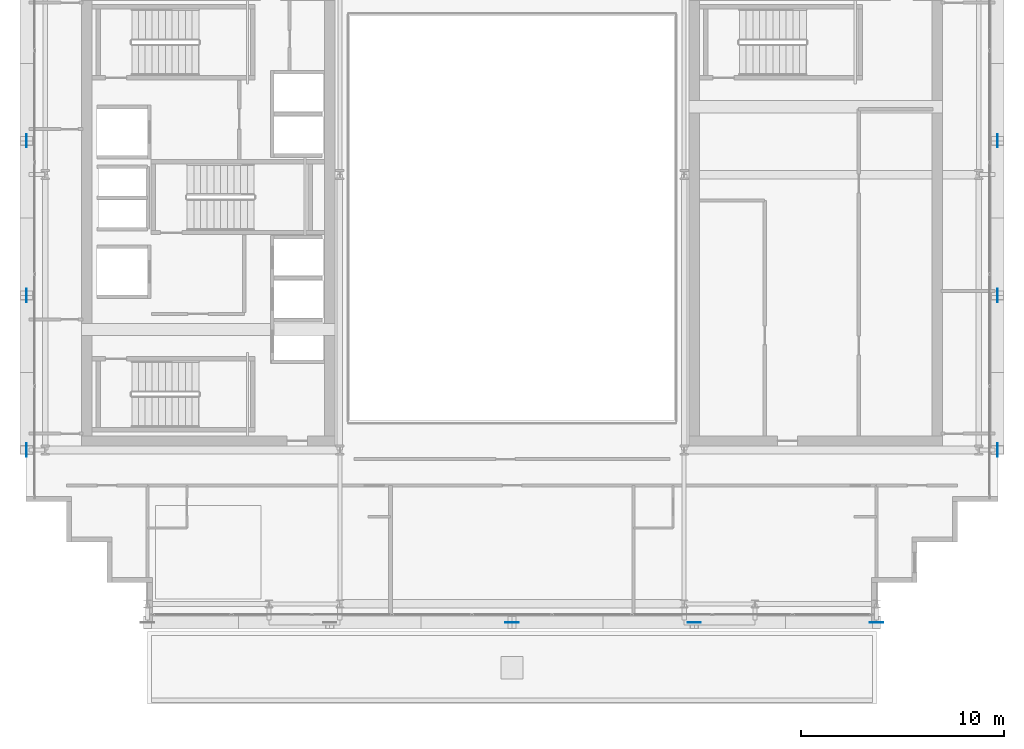
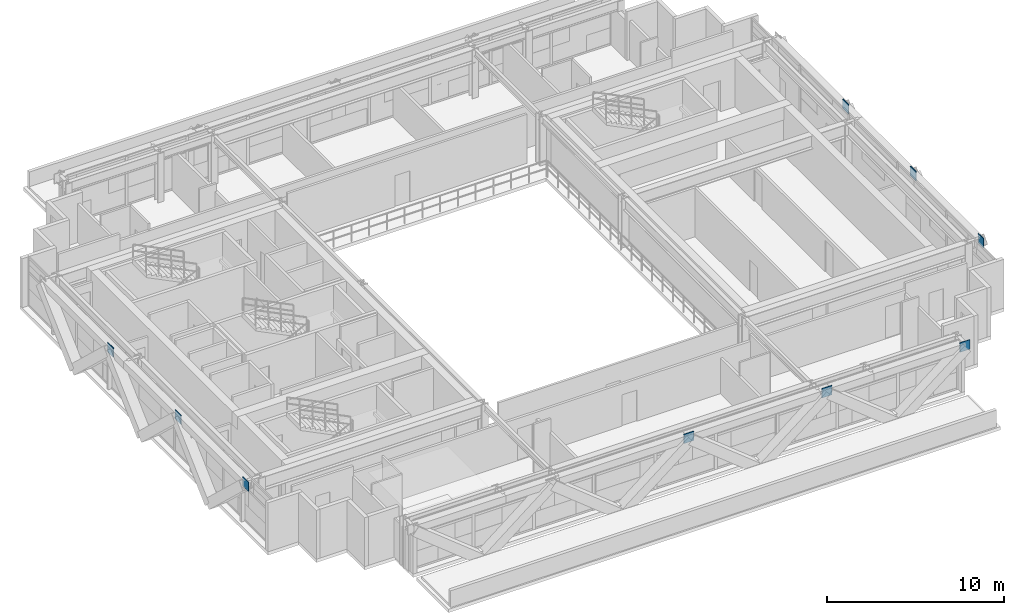
# One storey, part 25 of 34: 9 plates.
"""IFC4 building model written with IfcOpenShell, lengths in metres."""

from ifc_helpers import new_model, si_unit, direction, frame, origin, origin_2d, place, context, subcontext, project, spatial, rectangle, extrude, source, transform, mapped, material, layer, layer_set, type_object, element, save


model = new_model("IFC4")

# Units and contexts
model_context = context("Model", 3, precision=1e-05, world=origin(), true_north=direction((0.0, 1.0)))
body_context = subcontext(model_context, "Body", "Model", "MODEL_VIEW")
ifc_project = project(units=[si_unit("LENGTHUNIT", "METRE"), si_unit("AREAUNIT", "SQUARE_METRE"), si_unit("VOLUMEUNIT", "CUBIC_METRE"), si_unit("PLANEANGLEUNIT", "RADIAN"), si_unit("MASSUNIT", "GRAM", prefix="KILO")], contexts=[model_context])

# Site, building, storey
site_placement = place(None, origin())
site = spatial("IfcSite", under=ifc_project, at=site_placement, CompositionType="ELEMENT")
building_placement = place(site_placement, origin())
building = spatial("IfcBuilding", under=site, at=building_placement, Name="Ocotamira Hotel", CompositionType="ELEMENT")
storey_placement = place(building_placement, frame((0.0, 0.0, 163.199951171875)))
storey = spatial("IfcBuildingStorey", under=building, at=storey_placement, Name="L40", CompositionType="ELEMENT", Elevation=163.199951171875)

# Plates
ifc_material = material(Name="Pale-metal coated steel ASTM A572 Grade 50", Category="steel")
ifc_layer = layer(ifc_material, 0.0400390625)
ifc_layer_set = layer_set([ifc_layer], Name="Pale-metal coated steel ASTM A572 Grade 50")
plate_type = type_object("IfcPlateType", Name="PLT-GUSSET-40", PredefinedType="SHEET", material=ifc_layer_set)
shared_shape_1 = source(origin(), body_context, "Body", "SweptSolid", [
    extrude(rectangle(XDim=0.64990234375, YDim=0.0400390625, at=origin_2d()), origin(), (0.0, 0.0, 1.0), 0.64990234375),
])
for number, where, z_axis, x_axis, name in (
    (1, (32.0, 6.030029296875, 2.795166015625), (0.0, 0.0, 1.0), (1.0, 0.0, 0.0), "L40 Exoskeleton Diagrid S1.2 End Gusset B"),
    (2, (41.0, 6.030029296875, 2.795166015625), (0.0, 0.0, 1.0), (1.0, 0.0, 0.0), "L40 Exoskeleton Diagrid S2.2 End Gusset B"),
    (3, (50.0, 6.030029296875, 2.795166015625), (0.0, 0.0, 1.0), (1.0, 0.0, 0.0), "L40 Exoskeleton Diagrid S3.2 End Gusset B"),
):
    element("IfcPlate", number, at=place(storey_placement, frame(where, z_axis=z_axis, x_axis=x_axis)), inside=storey, type_object=plate_type, Name=name, PredefinedType="SHEET", context=body_context, shape_type="MappedRepresentation", body=[
        mapped(shared_shape_1, transform((0.0, 0.0, 0.0), scale=1.0)),
    ])
shared_shape_2 = source(origin(), body_context, "Body", "SweptSolid", [
    extrude(rectangle(XDim=0.0400390625, YDim=0.64990234375, at=origin_2d()), origin(), (0.0, 0.0, 1.0), 0.64990234375),
])
for number, where, z_axis, x_axis, name in (
    (4, (8.030029296875, 14.550048828125, 2.795166015625), (0.0, 0.0, 1.0), (1.0, 0.0, 0.0), "L40 Exoskeleton Diagrid W0.1 End Gusset B"),
    (5, (8.030029296875, 22.183349609375, 2.795166015625), (0.0, 0.0, 1.0), (1.0, 0.0, 0.0), "L40 Exoskeleton Diagrid W0.2 End Gusset B"),
    (6, (8.030029296875, 29.816650390625, 2.795166015625), (0.0, 0.0, 1.0), (1.0, 0.0, 0.0), "L40 Exoskeleton Diagrid W1.2 End Gusset B"),
    (7, (55.969970703125, 14.550048828125, 2.795166015625), (0.0, 0.0, 1.0), (1.0, 0.0, 0.0), "L40 Exoskeleton Diagrid E0.1 End Gusset B"),
    (8, (55.969970703125, 22.183349609375, 2.795166015625), (0.0, 0.0, 1.0), (1.0, 0.0, 0.0), "L40 Exoskeleton Diagrid E0.2 End Gusset B"),
    (9, (55.969970703125, 29.816650390625, 2.795166015625), (0.0, 0.0, 1.0), (1.0, 0.0, 0.0), "L40 Exoskeleton Diagrid E1.2 End Gusset B"),
):
    element("IfcPlate", number, at=place(storey_placement, frame(where, z_axis=z_axis, x_axis=x_axis)), inside=storey, type_object=plate_type, Name=name, PredefinedType="SHEET", context=body_context, shape_type="MappedRepresentation", body=[
        mapped(shared_shape_2, transform((0.0, 0.0, 0.0), scale=1.0)),
    ])

save(model, "model.ifc")
